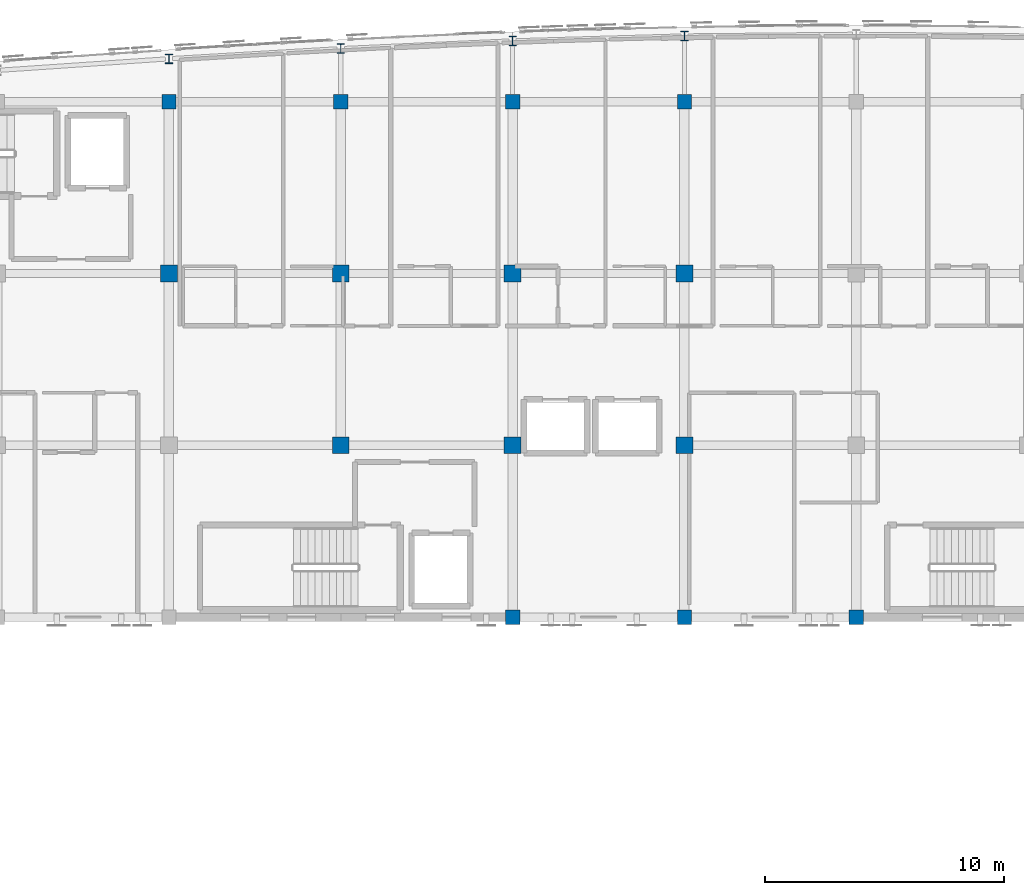
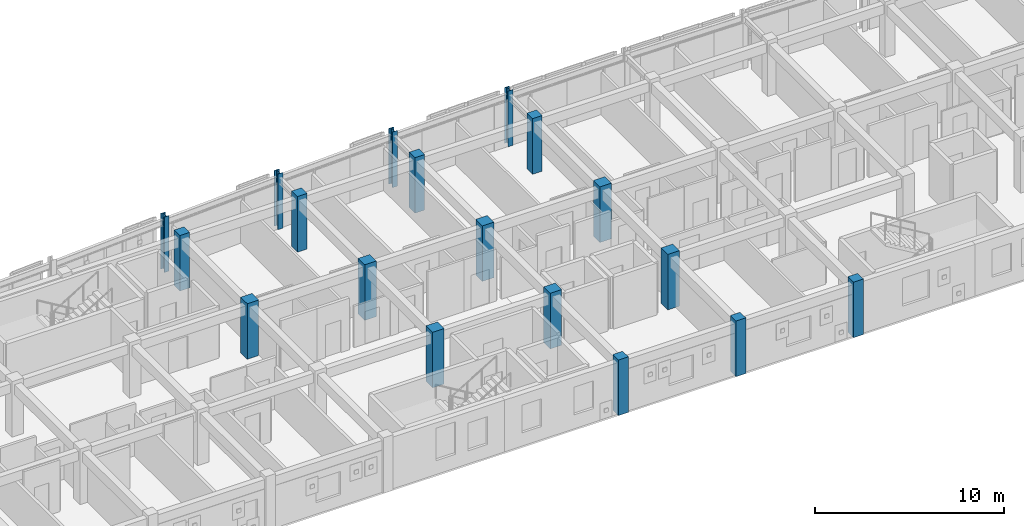
# One storey, part 2 of 50: 18 columns.
"""IFC4 building model written with IfcOpenShell, lengths in metres."""

from ifc_helpers import new_model, si_unit, direction, frame, origin, origin_2d, place, context, subcontext, project, spatial, rectangle, i_section, extrude, material, material_profile, profile_set, type_object, element, save


model = new_model("IFC4")

# Units and contexts
model_context = context("Model", 3, precision=1e-05, world=origin(), true_north=direction((0.0, 1.0)))
body_context = subcontext(model_context, "Body", "Model", "MODEL_VIEW")
ifc_project = project(units=[si_unit("LENGTHUNIT", "METRE"), si_unit("AREAUNIT", "SQUARE_METRE"), si_unit("VOLUMEUNIT", "CUBIC_METRE"), si_unit("PLANEANGLEUNIT", "RADIAN"), si_unit("MASSUNIT", "GRAM", prefix="KILO")], contexts=[model_context])

# Site, building, storey
site_placement = place(None, origin())
site = spatial("IfcSite", under=ifc_project, at=site_placement, CompositionType="ELEMENT")
building_placement = place(site_placement, origin())
building = spatial("IfcBuilding", under=site, at=building_placement, Name="Carrowvane Square Congress Hotel", CompositionType="ELEMENT")
storey_placement = place(building_placement, frame((0.0, 0.0, 22.800048828125)))
storey = spatial("IfcBuildingStorey", under=building, at=storey_placement, Name="L05", CompositionType="ELEMENT", Elevation=22.800048828125)

# Columns
ifc_material_1 = material(Name="Concrete C40/50", Category="concrete")
ifc_material_profile_1 = material_profile(ifc_material_1, rectangle(XDim=0.60009765625, YDim=0.60009765625, at=origin_2d()), Name="RC 600x600")
ifc_profile_set_1 = profile_set([ifc_material_profile_1], Name="Concrete C40/50")
column_type_1 = type_object("IfcColumnType", Name="COL-RC-600", PredefinedType="COLUMN", material=ifc_profile_set_1)
for number, where, z_axis, x_axis, name in (
    (1, (69.199951171875, 113.39990234375, 0.0), (0.0, 0.0, 1.0), (1.0, 0.0, 0.0), "L05 column 9/R"),
    (2, (76.39990234375, 113.39990234375, 0.0), (0.0, 0.0, 1.0), (1.0, 0.0, 0.0), "L05 column 10/R"),
    (3, (83.60009765625, 91.800048828125, 0.0), (0.0, 0.0, 1.0), (1.0, 0.0, 0.0), "L05 column 11/N"),
    (4, (83.60009765625, 113.39990234375, 0.0), (0.0, 0.0, 1.0), (1.0, 0.0, 0.0), "L05 column 11/R"),
    (5, (90.800048828125, 91.800048828125, 0.0), (0.0, 0.0, 1.0), (1.0, 0.0, 0.0), "L05 column 12/N"),
    (6, (90.800048828125, 113.39990234375, 0.0), (0.0, 0.0, 1.0), (1.0, 0.0, 0.0), "L05 column 12/R"),
    (7, (98.0, 91.800048828125, 0.0), (0.0, 0.0, 1.0), (1.0, 0.0, 0.0), "L05 column 13/N"),
):
    element("IfcColumn", number, at=place(storey_placement, frame(where, z_axis=z_axis, x_axis=x_axis)), inside=storey, type_object=column_type_1, Name=name, PredefinedType="COLUMN", context=body_context, shape_type="SweptSolid", body=[
        extrude(rectangle(XDim=0.60009765625, YDim=0.60009765625, at=origin_2d()), origin(), (0.0, 0.0, 1.0), 3.599853515625),
    ])
ifc_material_2 = material(Name="Concrete C40/50", Category="concrete")
ifc_material_profile_2 = material_profile(ifc_material_2, rectangle(XDim=0.699951171875, YDim=0.699951171875, at=origin_2d()), Name="RC 700x700")
ifc_profile_set_2 = profile_set([ifc_material_profile_2], Name="Concrete C40/50")
column_type_2 = type_object("IfcColumnType", Name="COL-RC-700", PredefinedType="COLUMN", material=ifc_profile_set_2)
for number, where, z_axis, x_axis, name in (
    (8, (69.199951171875, 106.199951171875, 0.0), (0.0, 0.0, 1.0), (1.0, 0.0, 0.0), "L05 column 9/Q"),
    (9, (76.39990234375, 99.0, 0.0), (0.0, 0.0, 1.0), (1.0, 0.0, 0.0), "L05 column 10/P"),
    (10, (76.39990234375, 106.199951171875, 0.0), (0.0, 0.0, 1.0), (1.0, 0.0, 0.0), "L05 column 10/Q"),
    (11, (83.60009765625, 99.0, 0.0), (0.0, 0.0, 1.0), (1.0, 0.0, 0.0), "L05 column 11/P"),
    (12, (83.60009765625, 106.199951171875, 0.0), (0.0, 0.0, 1.0), (1.0, 0.0, 0.0), "L05 column 11/Q"),
    (13, (90.800048828125, 99.0, 0.0), (0.0, 0.0, 1.0), (1.0, 0.0, 0.0), "L05 column 12/P"),
    (14, (90.800048828125, 106.199951171875, 0.0), (0.0, 0.0, 1.0), (1.0, 0.0, 0.0), "L05 column 12/Q"),
):
    element("IfcColumn", number, at=place(storey_placement, frame(where, z_axis=z_axis, x_axis=x_axis)), inside=storey, type_object=column_type_2, Name=name, PredefinedType="COLUMN", context=body_context, shape_type="SweptSolid", body=[
        extrude(rectangle(XDim=0.699951171875, YDim=0.699951171875, at=origin_2d()), origin(), (0.0, 0.0, 1.0), 3.599853515625),
    ])
ifc_material_3 = material(Name="Steel S355", Category="steel")
ifc_material_profile_3 = material_profile(ifc_material_3, i_section(OverallWidth=0.300048828125, OverallDepth=0.39990234375, WebThickness=0.013427734375, FlangeThickness=0.02392578125, FilletRadius=0.027099609375, at=origin_2d()), Name="HEB 400")
ifc_profile_set_3 = profile_set([ifc_material_profile_3], Name="Steel S355")
column_type_3 = type_object("IfcColumnType", Name="COL-ST-HEB400", PredefinedType="COLUMN", material=ifc_profile_set_3)
for number, where, z_axis, x_axis, name in (
    (15, (69.199951171875, 115.1943359375, 0.0), (0.0, 0.0, 1.0), (1.0, 0.0, 0.0), "L05 column 9/ARC"),
    (16, (76.39990234375, 115.61767578125, 0.0), (0.0, 0.0, 1.0), (1.0, 0.0, 0.0), "L05 column 10/ARC"),
    (17, (83.60009765625, 115.944091796875, 0.0), (0.0, 0.0, 1.0), (1.0, 0.0, 0.0), "L05 column 11/ARC"),
    (18, (90.800048828125, 116.14990234375, 0.0), (0.0, 0.0, 1.0), (1.0, 0.0, 0.0), "L05 column 12/ARC"),
):
    element("IfcColumn", number, at=place(storey_placement, frame(where, z_axis=z_axis, x_axis=x_axis)), inside=storey, type_object=column_type_3, Name=name, PredefinedType="COLUMN", context=body_context, shape_type="SweptSolid", body=[
        extrude(i_section(OverallWidth=0.300048828125, OverallDepth=0.39990234375, WebThickness=0.013427734375, FlangeThickness=0.02392578125, FilletRadius=0.027099609375, at=origin_2d()), origin(), (0.0, 0.0, 1.0), 3.599853515625),
    ])

save(model, "model.ifc")
